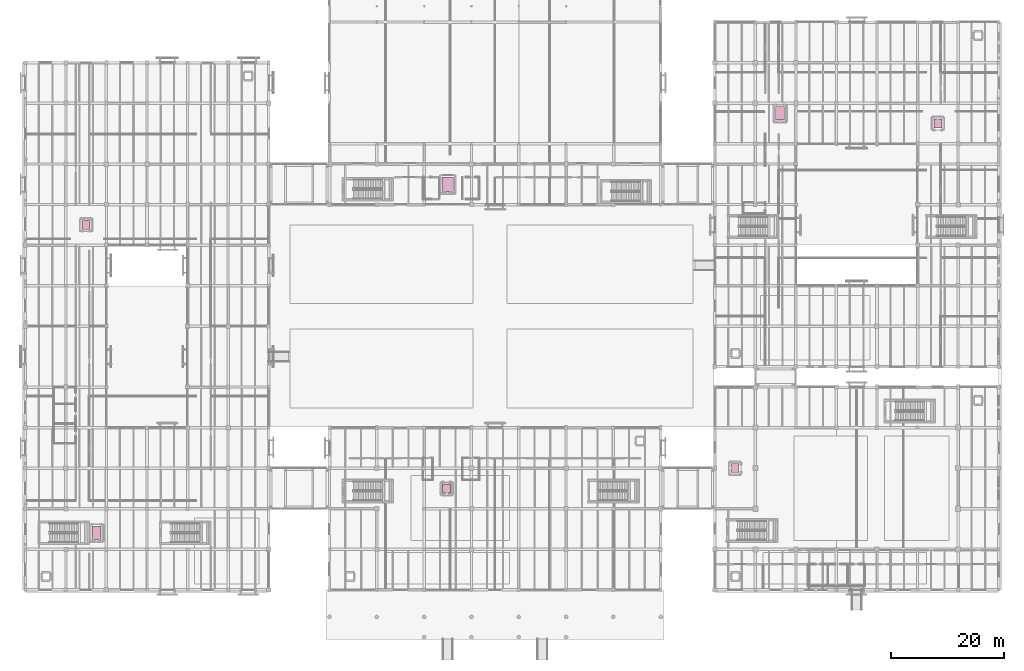
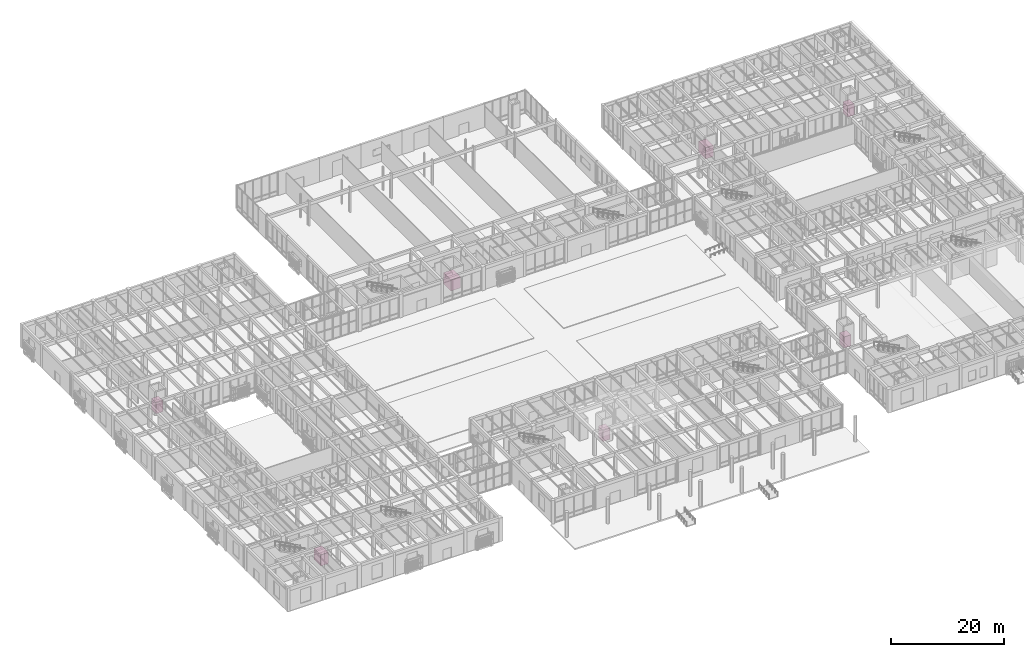
# One storey, part 169 of 169: 7 transport elements.
"""IFC4 building model written with IfcOpenShell, lengths in metres."""

from ifc_helpers import new_model, si_unit, direction, frame, origin, origin_2d, place, context, subcontext, project, spatial, rectangle, extrude, material, type_object, element, save


model = new_model("IFC4")

# Units and contexts
model_context = context("Model", 3, precision=1e-05, world=origin(), true_north=direction((0.0, 1.0)))
body_context = subcontext(model_context, "Body", "Model", "MODEL_VIEW")
ifc_project = project(units=[si_unit("LENGTHUNIT", "METRE"), si_unit("AREAUNIT", "SQUARE_METRE"), si_unit("VOLUMEUNIT", "CUBIC_METRE"), si_unit("PLANEANGLEUNIT", "RADIAN"), si_unit("MASSUNIT", "GRAM", prefix="KILO")], contexts=[model_context])

# Site, building, storey
site_placement = place(None, origin())
site = spatial("IfcSite", under=ifc_project, at=site_placement, CompositionType="ELEMENT")
building_placement = place(site_placement, origin())
building = spatial("IfcBuilding", under=site, at=building_placement, Name="Mazaris Harbour Polytechnic", CompositionType="ELEMENT")
storey_placement = place(building_placement, origin())
storey = spatial("IfcBuildingStorey", under=building, at=storey_placement, Name="L00", CompositionType="ELEMENT", Elevation=0.0)

# Transport elements
ifc_material_1 = material(Name="Stainless Steel S355", Category="steel")
transport_element_type_1 = type_object("IfcTransportElementType", Name="Accessible Passenger Lift 1400x1600", PredefinedType="ELEVATOR", material=ifc_material_1)
for number, where, z_axis, x_axis, name in (
    (1, (10.800048828125, 72.0, 0.050048828125), (0.0, 0.0, 1.0), (1.0, 0.0, 0.0), "Lift LP-01"),
    (2, (126.0, 28.800048828125, 0.050048828125), (0.0, 0.0, 1.0), (1.0, 0.0, 0.0), "Lift LP-02"),
    (3, (74.800048828125, 25.199951171875, 0.050048828125), (0.0, 0.0, 1.0), (1.0, 0.0, 0.0), "Lift LP-03"),
    (4, (162.0, 90.0, 0.050048828125), (0.0, 0.0, 1.0), (1.0, 0.0, 0.0), "Lift LP-04"),
):
    element("IfcTransportElement", number, at=place(storey_placement, frame(where, z_axis=z_axis, x_axis=x_axis)), inside=storey, type_object=transport_element_type_1, Name=name, PredefinedType="ELEVATOR", context=body_context, shape_type="SweptSolid", body=[
        extrude(rectangle(XDim=1.39990234375, YDim=1.60009765625, at=origin_2d()), origin(), (0.0, 0.0, 1.0), 2.39990234375),
    ])
ifc_material_2 = material(Name="Stainless Steel S355", Category="steel")
transport_element_type_2 = type_object("IfcTransportElementType", Name="Firefighting Stretcher Lift 1600x2400", PredefinedType="ELEVATOR", material=ifc_material_2)
for number, where, z_axis, x_axis, name in (
    (5, (12.64990234375, 17.324951171875, 0.050048828125), (0.0, 0.0, 1.0), (1.0, 0.0, 0.0), "Lift LF-01"),
    (6, (134.0, 91.800048828125, 0.050048828125), (0.0, 0.0, 1.0), (1.0, 0.0, 0.0), "Lift LF-02"),
):
    element("IfcTransportElement", number, at=place(storey_placement, frame(where, z_axis=z_axis, x_axis=x_axis)), inside=storey, type_object=transport_element_type_2, Name=name, PredefinedType="ELEVATOR", context=body_context, shape_type="SweptSolid", body=[
        extrude(rectangle(XDim=1.60009765625, YDim=2.39990234375, at=origin_2d()), origin(), (0.0, 0.0, 1.0), 2.39990234375),
    ])
ifc_material_3 = material(Name="Stainless Steel S355", Category="steel")
transport_element_type_3 = type_object("IfcTransportElementType", Name="Workshop Heavy Goods Lift 2000x2600", PredefinedType="ELEVATOR", material=ifc_material_3)
transport_element_placement = place(storey_placement, frame((75.0, 79.199951171875, 0.050048828125), z_axis=(0.0, 0.0, 1.0), x_axis=(1.0, 0.0, 0.0)))
element("IfcTransportElement", 7, at=transport_element_placement, inside=storey, type_object=transport_element_type_3, Name="Lift LG-01", PredefinedType="ELEVATOR", context=body_context, shape_type="SweptSolid", body=[
    extrude(rectangle(XDim=2.0, YDim=2.60009765625, at=origin_2d()), origin(), (0.0, 0.0, 1.0), 2.39990234375),
])

save(model, "model.ifc")
